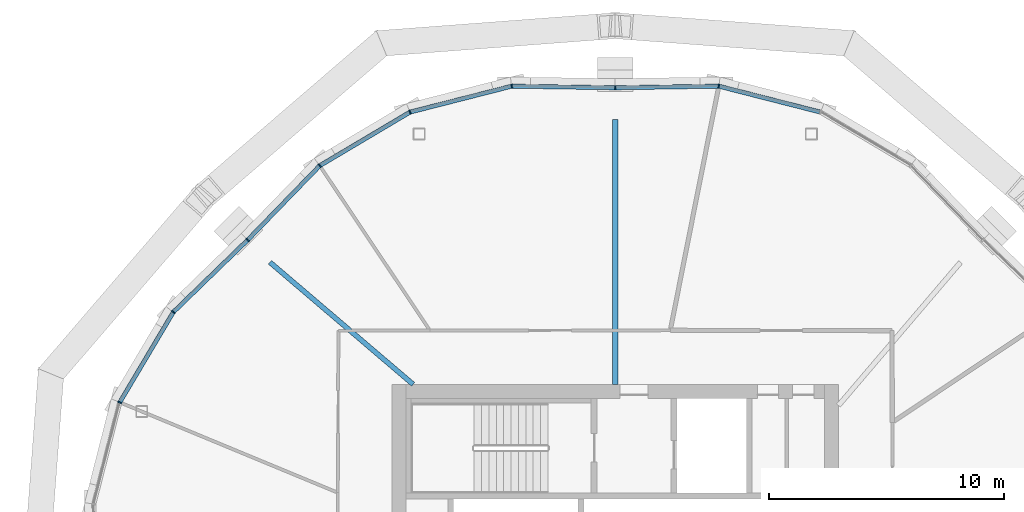
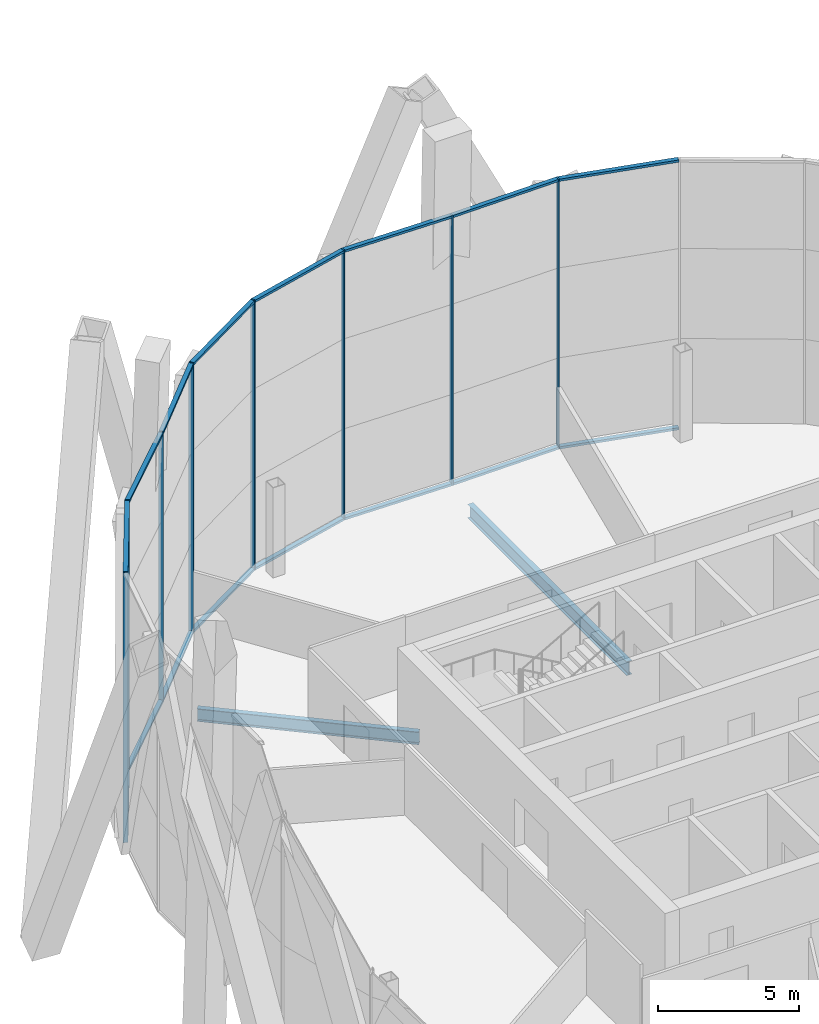
# One storey, part 6 of 23: 24 members, 2 beams, 3 elements without a shape of their own.
"""IFC4 building model written with IfcOpenShell, lengths in metres."""

import ifcopenshell
import ifcopenshell.guid

model = None  # the IFC model being written
_history = None  # IfcOwnerHistory: only IFC2X3 demands one
_inside = {}  # id of a spatial element -> (the spatial element, [elements in it])
_under = {}  # id of a project, library or spatial element -> (it, [spatial elements below it])
_declared = {}  # id of a project -> (the project, [libraries it declares])
_typed = {}  # id of a type object -> (the type object, [elements of that type])
_made_of = {}  # id of a material, layer set ... -> (it, [elements and type objects made of it])


def new_model(schema):
    """Start an empty IFC model of exactly this schema.

    Asked for "IFC4X3", IfcOpenShell would pick the latest addendum, in which some entities
    have other attributes; the version numbers below select the first issue.
    IFC2X3 requires an IfcOwnerHistory on every rooted entity: one is made here for all.
    """
    global model, _history
    if schema == "IFC4X3":
        model = ifcopenshell.file(schema_version=(4, 3, 0, 0))
    else:
        model = ifcopenshell.file(schema=schema)
    _inside.clear()
    _under.clear()
    _declared.clear()
    _typed.clear()
    _made_of.clear()
    _history = None
    if model.schema == "IFC2X3":
        org = make("IfcOrganization", Name="unknown")
        user = make(
            "IfcPersonAndOrganization",
            ThePerson=make("IfcPerson", FamilyName="unknown"),
            TheOrganization=org,
        )
        app = make(
            "IfcApplication",
            ApplicationDeveloper=org,
            Version="unknown",
            ApplicationFullName="unknown",
            ApplicationIdentifier="unknown",
        )
        _history = make(
            "IfcOwnerHistory",
            OwningUser=user,
            OwningApplication=app,
            ChangeAction="ADDED",
            CreationDate=0,
        )
    return model


def make(cls, **values):
    """One entity of the class cls with the attributes given. An attribute that is None is left unset."""
    return model.create_entity(
        cls, **{name: value for name, value in values.items() if value is not None}
    )


def rooted(cls, **values):
    """An entity with a GlobalId (a new one), such as an element, a storey or a relation."""
    return make(cls, GlobalId=ifcopenshell.guid.new(), OwnerHistory=_history, **values)


def si_unit(unit_type, name, prefix=None):
    """IfcSIUnit, for example si_unit("LENGTHUNIT", "METRE", prefix="MILLI")."""
    return make("IfcSIUnit", UnitType=unit_type, Prefix=prefix, Name=name)


def assignment(units):
    """IfcUnitAssignment: the units of a project."""
    return None if units is None else make("IfcUnitAssignment", Units=units)


def point(xyz):
    """IfcCartesianPoint."""
    return None if xyz is None else make("IfcCartesianPoint", Coordinates=xyz)


def direction(xyz):
    """IfcDirection."""
    return None if xyz is None else make("IfcDirection", DirectionRatios=xyz)


def frame(location, z_axis=None, x_axis=None):
    """IfcAxis2Placement3D, a coordinate frame: its origin and axes. An axis left out is left unset."""
    return make(
        "IfcAxis2Placement3D",
        Location=point(location),
        Axis=direction(z_axis),
        RefDirection=direction(x_axis),
    )


def frame_2d(location, x_axis=None):
    """IfcAxis2Placement2D, a coordinate frame in the plane: its origin and x axis."""
    return make(
        "IfcAxis2Placement2D", Location=point(location), RefDirection=direction(x_axis)
    )


def origin():
    """The frame at (0, 0, 0) with its axes left unset."""
    return frame((0.0, 0.0, 0.0))


def origin_2d():
    """The frame at (0, 0) in the plane with its x axis left unset."""
    return frame_2d((0.0, 0.0))


def place(relative_to, where):
    """IfcLocalPlacement: puts the frame where relative to a parent placement (None: the world)."""
    return make(
        "IfcLocalPlacement", PlacementRelTo=relative_to, RelativePlacement=where
    )


def context(
    kind, dimensions, precision=None, world=None, true_north=None, identifier=None
):
    """IfcGeometricRepresentationContext, for example the 3D "Model" context."""
    return make(
        "IfcGeometricRepresentationContext",
        ContextIdentifier=identifier,
        ContextType=kind,
        CoordinateSpaceDimension=dimensions,
        Precision=precision,
        WorldCoordinateSystem=world,
        TrueNorth=true_north,
    )


def subcontext(parent, identifier, kind, view, scale=None):
    """IfcGeometricRepresentationSubContext, for example "Body" below "Model"."""
    return make(
        "IfcGeometricRepresentationSubContext",
        ContextIdentifier=identifier,
        ContextType=kind,
        ParentContext=parent,
        TargetScale=scale,
        TargetView=view,
    )


def project(units=None, contexts=None):
    """IfcProject with its units and contexts."""
    return rooted(
        "IfcProject",
        Name="project",
        RepresentationContexts=contexts,
        UnitsInContext=assignment(units),
    )


def spatial(cls, under=None, at=None, **own):
    """A site, building, storey or space (cls), placed at a placement, below another one or the project."""
    s = rooted(cls, ObjectPlacement=at, **own)
    if under is not None:
        _under.setdefault(under.id(), (under, []))[1].append(s)
    return s


def profile(cls, at=None, kind="AREA", **sizes):
    """A parametric profile (cls). Its sizes go by their IFC names, for example OverallWidth=200.0."""
    return make(cls, ProfileType=kind, Position=at, **sizes)


def rectangle(**sizes):
    """IfcRectangleProfileDef."""
    return profile("IfcRectangleProfileDef", **sizes)


def i_section(**sizes):
    """IfcIShapeProfileDef."""
    return profile("IfcIShapeProfileDef", **sizes)


def extrude(swept, where, along, depth):
    """IfcExtrudedAreaSolid: the profile swept, set in the frame where, extruded along a direction by depth."""
    return make(
        "IfcExtrudedAreaSolid",
        SweptArea=swept,
        Position=where,
        ExtrudedDirection=direction(along),
        Depth=depth,
    )


def shape(context_of_items, identifier, shape_type, items):
    """IfcShapeRepresentation: the items that make up one representation, for example the "Body"."""
    return make(
        "IfcShapeRepresentation",
        ContextOfItems=context_of_items,
        RepresentationIdentifier=identifier,
        RepresentationType=shape_type,
        Items=items,
    )


def material(Name=None, Category=None):
    """IfcMaterial."""
    return make("IfcMaterial", Name=Name, Category=Category)


def material_profile(
    of_material, cross_section, Name=None, Category=None, Priority=None
):
    """IfcMaterialProfile: a cross section and its material."""
    return make(
        "IfcMaterialProfile",
        Name=Name,
        Material=of_material,
        Profile=cross_section,
        Priority=Priority,
        Category=Category,
    )


def profile_set(profiles, Name=None, composite=None):
    """IfcMaterialProfileSet."""
    return make(
        "IfcMaterialProfileSet",
        Name=Name,
        MaterialProfiles=profiles,
        CompositeProfile=composite,
    )


def made_of(thing, what):
    """Note that an element or type object is made of a material, layer set ...; save() writes the relation."""
    if what is not None:
        _made_of.setdefault(what.id(), (what, []))[1].append(thing)
    return thing


def type_object(cls, material=None, **own):
    """A type object (cls), such as IfcWallType, which elements share."""
    return made_of(rooted(cls, **own), material)


def element(
    cls,
    number,
    at=None,
    inside=None,
    cuts=None,
    type_object=None,
    material=None,
    context=None,
    identifier="Body",
    shape_type=None,
    held_by="IfcProductDefinitionShape",
    body=None,
    shapes=None,
    **own,
):
    """One element of the class cls, such as IfcWall. Its Tag is "e" and its number.

    at: its placement. inside: the storey or other place that contains it. cuts: it is an
    opening in that element (IfcRelVoidsElement). A single representation is given by context,
    identifier, shape_type and body (its items); several are given by shapes. held_by: the class
    of the entity that holds the representations. save() writes the other relations.
    """
    e = rooted(cls, Tag="e%d" % number, ObjectPlacement=at, **own)
    if body is not None:
        shapes = [shape(context, identifier, shape_type, body)]
    if shapes is not None:
        e.Representation = make(held_by, Representations=shapes)
    if inside is not None:
        _inside.setdefault(inside.id(), (inside, []))[1].append(e)
    if cuts is not None:
        rooted(
            "IfcRelVoidsElement", RelatingBuildingElement=cuts, RelatedOpeningElement=e
        )
    if type_object is not None:
        _typed.setdefault(type_object.id(), (type_object, []))[1].append(e)
    return made_of(e, material)


def aggregate(whole, parts):
    """IfcRelAggregates: a whole, such as a stair, and the parts it consists of."""
    return rooted("IfcRelAggregates", RelatingObject=whole, RelatedObjects=parts)


def save(model, path):
    """Write the relations noted so far, then the file.

    IfcRelAggregates (storeys below a building ...), IfcRelContainedInSpatialStructure (elements
    in a storey), IfcRelDefinesByType, IfcRelAssociatesMaterial and IfcRelDeclares: one each for
    every whole, place, type object, material and project.
    """
    for whole, parts in _under.values():
        aggregate(whole, parts)
    for where, things in _inside.values():
        rooted(
            "IfcRelContainedInSpatialStructure",
            RelatedElements=things,
            RelatingStructure=where,
        )
    for kind, things in _typed.values():
        rooted("IfcRelDefinesByType", RelatedObjects=things, RelatingType=kind)
    for what, things in _made_of.values():
        rooted("IfcRelAssociatesMaterial", RelatedObjects=things, RelatingMaterial=what)
    for by, libraries in _declared.values():
        rooted("IfcRelDeclares", RelatingContext=by, RelatedDefinitions=libraries)
    model.write(path)


model = new_model("IFC4")

# Units and contexts
model_context = context("Model", 3, precision=1e-05, world=origin(), true_north=direction((0.0, 1.0)))
body_context = subcontext(model_context, "Body", "Model", "MODEL_VIEW")
ifc_project = project(units=[si_unit("LENGTHUNIT", "METRE"), si_unit("AREAUNIT", "SQUARE_METRE"), si_unit("VOLUMEUNIT", "CUBIC_METRE"), si_unit("PLANEANGLEUNIT", "RADIAN"), si_unit("MASSUNIT", "GRAM", prefix="KILO")], contexts=[model_context])

# Site, building, storey
site_placement = place(None, origin())
site = spatial("IfcSite", under=ifc_project, at=site_placement, CompositionType="ELEMENT")
building_placement = place(site_placement, origin())
building = spatial("IfcBuilding", under=site, at=building_placement, Name="Ogive Gate Towers", CompositionType="ELEMENT")
storey_placement = place(building_placement, frame((0.0, 0.0, 165.60009765625)))
storey = spatial("IfcBuildingStorey", under=building, at=storey_placement, Name="L39", CompositionType="ELEMENT", Elevation=165.60009765625)

# Beams
ifc_material_1 = material(Name="Steel SM355", Category="steel")
ifc_material_profile_1 = material_profile(ifc_material_1, i_section(OverallWidth=0.2099609375, OverallDepth=0.550048828125, WebThickness=0.010986328125, FlangeThickness=0.01708984375, FilletRadius=0.02392578125, at=origin_2d()), Name="IPE 550")
ifc_profile_set_1 = profile_set([ifc_material_profile_1], Name="Steel SM355")
beam_type_1 = type_object("IfcBeamType", Name="Radial floor beam IPE 550", PredefinedType="BEAM", material=ifc_profile_set_1)
beam_1_placement = place(storey_placement, frame((-44.60009765625, 9.5, -0.5751953125), z_axis=(-0.761079266418, 0.648658885878, 0.0), x_axis=(-0.648658885878, -0.761079266418, 0.0)))
element("IfcBeam", 1, at=beam_1_placement, inside=storey, type_object=beam_type_1, Name="T1/L39/SBM007", PredefinedType="BEAM", context=body_context, shape_type="SweptSolid", body=[
    extrude(i_section(OverallWidth=0.2099609375, OverallDepth=0.550048828125, WebThickness=0.010986328125, FlangeThickness=0.01708984375, FilletRadius=0.02392578125, at=origin_2d()), origin(), (0.0, 0.0, 1.0), 8.0048828125),
])
ifc_material_profile_2 = material_profile(ifc_material_1, i_section(OverallWidth=0.219970703125, OverallDepth=0.60009765625, WebThickness=0.011962890625, FlangeThickness=0.01904296875, FilletRadius=0.02392578125, at=origin_2d()), Name="IPE 600")
ifc_profile_set_2 = profile_set([ifc_material_profile_2], Name="Steel SM355")
beam_type_2 = type_object("IfcBeamType", Name="Radial floor beam IPE 600", PredefinedType="BEAM", material=ifc_profile_set_2)
beam_2_placement = place(storey_placement, frame((-36.0, 9.5, -0.60009765625), z_axis=(0.0, 1.0, 0.0), x_axis=(-1.0, 0.0, 0.0)))
element("IfcBeam", 2, at=beam_2_placement, inside=storey, type_object=beam_type_2, Name="T1/L39/SBM006", PredefinedType="BEAM", context=body_context, shape_type="SweptSolid", body=[
    extrude(i_section(OverallWidth=0.219970703125, OverallDepth=0.60009765625, WebThickness=0.011962890625, FlangeThickness=0.01904296875, FilletRadius=0.02392578125, at=origin_2d()), origin(), (0.0, 0.0, 1.0), 11.278076171875),
])

# Curtain wall, members
ifc_material_2 = material(Name="Pale metal aluminium", Category="aluminium")
curtain_wall_type = type_object("IfcCurtainWallType", Name="Tower unitised wall, high zone", PredefinedType="NOTDEFINED", material=ifc_material_2)
curtain_wall_1_placement = place(storey_placement, origin())
curtain_wall_1 = element("IfcCurtainWall", 3, at=curtain_wall_1_placement, inside=storey, type_object=curtain_wall_type, Name="CW2 T1 ECW02", PredefinedType="NOTDEFINED")
ifc_material_profile_3 = material_profile(ifc_material_2, rectangle(XDim=0.179931640625, YDim=0.06005859375, at=origin_2d()), Name="60 x 180 aluminium box")
ifc_profile_set_3 = profile_set([ifc_material_profile_3], Name="Pale metal aluminium")
member_type_1 = type_object("IfcMemberType", Name="Tower unitised wall, high zone mullion 60 x 180", PredefinedType="MULLION", material=ifc_profile_set_3)
member_1_placement = place(storey_placement, frame((-31.593994140625, 22.1875, -0.300048828125), z_axis=(0.0, 0.0, 1.0), x_axis=(0.116948078113, 0.993138030198, 0.0)))
member_1 = element("IfcMember", 4, at=member_1_placement, type_object=member_type_1, Name="CW2 mullion", PredefinedType="MULLION", context=body_context, shape_type="SweptSolid", body=[
    extrude(rectangle(XDim=0.179931640625, YDim=0.06005859375, at=origin_2d()), origin(), (0.0, 0.0, 1.0), 11.699951171875),
])
member_2_placement = place(storey_placement, frame((-35.999755859375, 22.1201171875, -0.300048828125), z_axis=(0.0, 0.0, 1.0), x_axis=(-0.015271037347, 0.99988339091, 0.0)))
member_2 = element("IfcMember", 5, at=member_2_placement, type_object=member_type_1, Name="CW2 mullion", PredefinedType="MULLION", context=body_context, shape_type="SweptSolid", body=[
    extrude(rectangle(XDim=0.179931640625, YDim=0.06005859375, at=origin_2d()), origin(), (0.0, 0.0, 1.0), 11.699951171875),
])

curtain_wall_2_placement = place(storey_placement, origin())
curtain_wall_2 = element("IfcCurtainWall", 6, at=curtain_wall_2_placement, inside=storey, type_object=curtain_wall_type, Name="CW2 T1 ECW03", PredefinedType="NOTDEFINED")
member_3_placement = place(storey_placement, frame((-40.406005859375, 22.1875, -0.300048828125), z_axis=(0.0, 0.0, 1.0), x_axis=(-0.116948078113, 0.993138030198, 0.0)))
member_3 = element("IfcMember", 7, at=member_3_placement, type_object=member_type_1, Name="CW2 mullion", PredefinedType="MULLION", context=body_context, shape_type="SweptSolid", body=[
    extrude(rectangle(XDim=0.179931640625, YDim=0.06005859375, at=origin_2d()), origin(), (0.0, 0.0, 1.0), 11.699951171875),
])
member_4_placement = place(storey_placement, frame((-44.7333984375, 21.083984375, -0.300048828125), z_axis=(0.0, 0.0, 1.0), x_axis=(-0.382683432365, 0.923879532511, 0.0)))
member_4 = element("IfcMember", 8, at=member_4_placement, type_object=member_type_1, Name="CW2 mullion", PredefinedType="MULLION", context=body_context, shape_type="SweptSolid", body=[
    extrude(rectangle(XDim=0.179931640625, YDim=0.06005859375, at=origin_2d()), origin(), (0.0, 0.0, 1.0), 11.699951171875),
])
member_5_placement = place(storey_placement, frame((-48.5732421875, 18.804443359375, -0.300048828125), z_axis=(0.0, 0.0, 1.0), x_axis=(-0.619559856727, 0.784949414887, 0.0)))
member_5 = element("IfcMember", 9, at=member_5_placement, type_object=member_type_1, Name="CW2 mullion", PredefinedType="MULLION", context=body_context, shape_type="SweptSolid", body=[
    extrude(rectangle(XDim=0.179931640625, YDim=0.06005859375, at=origin_2d()), origin(), (0.0, 0.0, 1.0), 11.699951171875),
])
member_6_placement = place(storey_placement, frame((-51.64111328125, 15.641357421875, -0.300048828125), z_axis=(0.0, 0.0, 1.0), x_axis=(-0.717810428625, 0.696238600306, 0.0)))
member_6 = element("IfcMember", 10, at=member_6_placement, type_object=member_type_1, Name="CW2 mullion", PredefinedType="MULLION", context=body_context, shape_type="SweptSolid", body=[
    extrude(rectangle(XDim=0.179931640625, YDim=0.06005859375, at=origin_2d()), origin(), (0.0, 0.0, 1.0), 11.699951171875),
])

curtain_wall_3_placement = place(storey_placement, origin())
curtain_wall_3 = element("IfcCurtainWall", 11, at=curtain_wall_3_placement, inside=storey, type_object=curtain_wall_type, Name="CW2 T1 ECW04", PredefinedType="NOTDEFINED")
member_7_placement = place(storey_placement, frame((-54.804443359375, 12.5732421875, -0.300048828125), z_axis=(0.0, 0.0, 1.0), x_axis=(-0.784949414887, 0.619559856727, 0.0)))
member_7 = element("IfcMember", 12, at=member_7_placement, type_object=member_type_1, Name="CW2 mullion", PredefinedType="MULLION", context=body_context, shape_type="SweptSolid", body=[
    extrude(rectangle(XDim=0.179931640625, YDim=0.06005859375, at=origin_2d()), origin(), (0.0, 0.0, 1.0), 11.699951171875),
])
member_8_placement = place(storey_placement, frame((-57.083984375, 8.7333984375, -0.300048828125), z_axis=(0.0, 0.0, 1.0), x_axis=(-0.923879532511, 0.382683432365, 0.0)))
member_8 = element("IfcMember", 13, at=member_8_placement, type_object=member_type_1, Name="CW2 mullion", PredefinedType="MULLION", context=body_context, shape_type="SweptSolid", body=[
    extrude(rectangle(XDim=0.179931640625, YDim=0.06005859375, at=origin_2d()), origin(), (0.0, 0.0, 1.0), 11.699951171875),
])

# Member
ifc_material_profile_4 = material_profile(ifc_material_2, rectangle(XDim=0.179931640625, YDim=0.10009765625, at=origin_2d()), Name="100 x 180 aluminium box")
ifc_profile_set_4 = profile_set([ifc_material_profile_4], Name="Pale metal aluminium")
member_type_2 = type_object("IfcMemberType", Name="Tower unitised wall, high zone transom 100 x 180", PredefinedType="USERDEFINED", material=ifc_profile_set_4)
member_9_placement = place(storey_placement, frame((-27.29443359375, 21.0908203125, 11.349853515625), z_axis=(-0.968988279215, 0.247106686967, 0.0), x_axis=(-0.247106686967, -0.968988279215, 0.0)))
member_9 = element("IfcMember", 14, at=member_9_placement, type_object=member_type_2, Name="CW2 transom", ObjectType="TRANSOM", PredefinedType="USERDEFINED", context=body_context, shape_type="SweptSolid", body=[
    extrude(rectangle(XDim=0.179931640625, YDim=0.10009765625, at=origin_2d()), origin(), (0.0, 0.0, 1.0), 4.408447265625),
])

member_10_placement = place(storey_placement, frame((-27.29443359375, 21.0908203125, -0.25), z_axis=(-0.968988279215, 0.247106686967, 0.0), x_axis=(-0.247106686967, -0.968988279215, 0.0)))
member_10 = element("IfcMember", 15, at=member_10_placement, type_object=member_type_2, Name="CW2 transom", ObjectType="TRANSOM", PredefinedType="USERDEFINED", context=body_context, shape_type="SweptSolid", body=[
    extrude(rectangle(XDim=0.179931640625, YDim=0.10009765625, at=origin_2d()), origin(), (0.0, 0.0, 1.0), 4.408447265625),
])

member_11_placement = place(storey_placement, frame((-31.62255859375, 22.186767578125, 11.349853515625), z_axis=(-0.999884215177, -0.015216972107, 0.0), x_axis=(0.015216972107, -0.999884215177, 0.0)))
member_11 = element("IfcMember", 16, at=member_11_placement, type_object=member_type_2, Name="CW2 transom", ObjectType="TRANSOM", PredefinedType="USERDEFINED", context=body_context, shape_type="SweptSolid", body=[
    extrude(rectangle(XDim=0.179931640625, YDim=0.10009765625, at=origin_2d()), origin(), (0.0, 0.0, 1.0), 4.347900390625),
])

member_12_placement = place(storey_placement, frame((-31.62255859375, 22.186767578125, -0.25), z_axis=(-0.999884215177, -0.015216972107, 0.0), x_axis=(0.015216972107, -0.999884215177, 0.0)))
member_12 = element("IfcMember", 17, at=member_12_placement, type_object=member_type_2, Name="CW2 transom", ObjectType="TRANSOM", PredefinedType="USERDEFINED", context=body_context, shape_type="SweptSolid", body=[
    extrude(rectangle(XDim=0.179931640625, YDim=0.10009765625, at=origin_2d()), origin(), (0.0, 0.0, 1.0), 4.347900390625),
])

aggregate(curtain_wall_1, [member_1, member_9, member_10, member_2, member_11, member_12])

member_13_placement = place(storey_placement, frame((-36.030029296875, 22.12060546875, 11.349853515625), z_axis=(-0.999884215177, 0.015216972107, 0.0), x_axis=(-0.015216972107, -0.999884215177, 0.0)))
member_13 = element("IfcMember", 18, at=member_13_placement, type_object=member_type_2, Name="CW2 transom", ObjectType="TRANSOM", PredefinedType="USERDEFINED", context=body_context, shape_type="SweptSolid", body=[
    extrude(rectangle(XDim=0.179931640625, YDim=0.10009765625, at=origin_2d()), origin(), (0.0, 0.0, 1.0), 4.347900390625),
])

member_14_placement = place(storey_placement, frame((-36.030029296875, 22.12060546875, -0.25), z_axis=(-0.999884215177, 0.015216972107, 0.0), x_axis=(-0.015216972107, -0.999884215177, 0.0)))
member_14 = element("IfcMember", 19, at=member_14_placement, type_object=member_type_2, Name="CW2 transom", ObjectType="TRANSOM", PredefinedType="USERDEFINED", context=body_context, shape_type="SweptSolid", body=[
    extrude(rectangle(XDim=0.179931640625, YDim=0.10009765625, at=origin_2d()), origin(), (0.0, 0.0, 1.0), 4.347900390625),
])

member_15_placement = place(storey_placement, frame((-40.433837890625, 22.18017578125, 11.349853515625), z_axis=(-0.968988279215, -0.247106686967, 0.0), x_axis=(0.247106686967, -0.968988279215, 0.0)))
member_15 = element("IfcMember", 20, at=member_15_placement, type_object=member_type_2, Name="CW2 transom", ObjectType="TRANSOM", PredefinedType="USERDEFINED", context=body_context, shape_type="SweptSolid", body=[
    extrude(rectangle(XDim=0.179931640625, YDim=0.10009765625, at=origin_2d()), origin(), (0.0, 0.0, 1.0), 4.408447265625),
])

member_16_placement = place(storey_placement, frame((-40.433837890625, 22.18017578125, -0.25), z_axis=(-0.968988279215, -0.247106686967, 0.0), x_axis=(0.247106686967, -0.968988279215, 0.0)))
member_16 = element("IfcMember", 21, at=member_16_placement, type_object=member_type_2, Name="CW2 transom", ObjectType="TRANSOM", PredefinedType="USERDEFINED", context=body_context, shape_type="SweptSolid", body=[
    extrude(rectangle(XDim=0.179931640625, YDim=0.10009765625, at=origin_2d()), origin(), (0.0, 0.0, 1.0), 4.408447265625),
])

member_17_placement = place(storey_placement, frame((-44.7578125, 21.069091796875, 11.349853515625), z_axis=(-0.859907161712, -0.5104504611, 0.0), x_axis=(0.5104504611, -0.859907161712, 0.0)))
member_17 = element("IfcMember", 22, at=member_17_placement, type_object=member_type_2, Name="CW2 transom", ObjectType="TRANSOM", PredefinedType="USERDEFINED", context=body_context, shape_type="SweptSolid", body=[
    extrude(rectangle(XDim=0.179931640625, YDim=0.10009765625, at=origin_2d()), origin(), (0.0, 0.0, 1.0), 4.408447265625),
])

member_18_placement = place(storey_placement, frame((-44.7578125, 21.069091796875, -0.25), z_axis=(-0.859907161712, -0.5104504611, 0.0), x_axis=(0.5104504611, -0.859907161712, 0.0)))
member_18 = element("IfcMember", 23, at=member_18_placement, type_object=member_type_2, Name="CW2 transom", ObjectType="TRANSOM", PredefinedType="USERDEFINED", context=body_context, shape_type="SweptSolid", body=[
    extrude(rectangle(XDim=0.179931640625, YDim=0.10009765625, at=origin_2d()), origin(), (0.0, 0.0, 1.0), 4.408447265625),
])

member_19_placement = place(storey_placement, frame((-48.59326171875, 18.78369140625, 11.349853515625), z_axis=(-0.696214239877, -0.717834056166, 0.0), x_axis=(0.717834056166, -0.696214239877, 0.0)))
member_19 = element("IfcMember", 24, at=member_19_placement, type_object=member_type_2, Name="CW2 transom", ObjectType="TRANSOM", PredefinedType="USERDEFINED", context=body_context, shape_type="SweptSolid", body=[
    extrude(rectangle(XDim=0.179931640625, YDim=0.10009765625, at=origin_2d()), origin(), (0.0, 0.0, 1.0), 4.34765625),
])

member_20_placement = place(storey_placement, frame((-48.59326171875, 18.78369140625, -0.25), z_axis=(-0.696214239877, -0.717834056166, 0.0), x_axis=(0.717834056166, -0.696214239877, 0.0)))
member_20 = element("IfcMember", 25, at=member_20_placement, type_object=member_type_2, Name="CW2 transom", ObjectType="TRANSOM", PredefinedType="USERDEFINED", context=body_context, shape_type="SweptSolid", body=[
    extrude(rectangle(XDim=0.179931640625, YDim=0.10009765625, at=origin_2d()), origin(), (0.0, 0.0, 1.0), 4.34765625),
])

aggregate(curtain_wall_2, [member_3, member_13, member_14, member_4, member_15, member_16, member_5, member_17, member_18, member_6, member_19, member_20])

member_21_placement = place(storey_placement, frame((-51.662841796875, 15.6201171875, 11.349853515625), z_axis=(-0.717834056166, -0.696214239877, 0.0), x_axis=(0.696214239877, -0.717834056166, 0.0)))
member_21 = element("IfcMember", 26, at=member_21_placement, type_object=member_type_2, Name="CW2 transom", ObjectType="TRANSOM", PredefinedType="USERDEFINED", context=body_context, shape_type="SweptSolid", body=[
    extrude(rectangle(XDim=0.179931640625, YDim=0.10009765625, at=origin_2d()), origin(), (0.0, 0.0, 1.0), 4.34765625),
])

member_22_placement = place(storey_placement, frame((-51.662841796875, 15.6201171875, -0.25), z_axis=(-0.717834056166, -0.696214239877, 0.0), x_axis=(0.696214239877, -0.717834056166, 0.0)))
member_22 = element("IfcMember", 27, at=member_22_placement, type_object=member_type_2, Name="CW2 transom", ObjectType="TRANSOM", PredefinedType="USERDEFINED", context=body_context, shape_type="SweptSolid", body=[
    extrude(rectangle(XDim=0.179931640625, YDim=0.10009765625, at=origin_2d()), origin(), (0.0, 0.0, 1.0), 4.34765625),
])

member_23_placement = place(storey_placement, frame((-54.81884765625, 12.548583984375, 11.349853515625), z_axis=(-0.5104504611, -0.859907161712, 0.0), x_axis=(0.859907161712, -0.5104504611, 0.0)))
member_23 = element("IfcMember", 28, at=member_23_placement, type_object=member_type_2, Name="CW2 transom", ObjectType="TRANSOM", PredefinedType="USERDEFINED", context=body_context, shape_type="SweptSolid", body=[
    extrude(rectangle(XDim=0.179931640625, YDim=0.10009765625, at=origin_2d()), origin(), (0.0, 0.0, 1.0), 4.408447265625),
])

member_24_placement = place(storey_placement, frame((-54.81884765625, 12.548583984375, -0.25), z_axis=(-0.5104504611, -0.859907161712, 0.0), x_axis=(0.859907161712, -0.5104504611, 0.0)))
member_24 = element("IfcMember", 29, at=member_24_placement, type_object=member_type_2, Name="CW2 transom", ObjectType="TRANSOM", PredefinedType="USERDEFINED", context=body_context, shape_type="SweptSolid", body=[
    extrude(rectangle(XDim=0.179931640625, YDim=0.10009765625, at=origin_2d()), origin(), (0.0, 0.0, 1.0), 4.408447265625),
])

aggregate(curtain_wall_3, [member_7, member_21, member_22, member_8, member_23, member_24])

save(model, "model.ifc")
